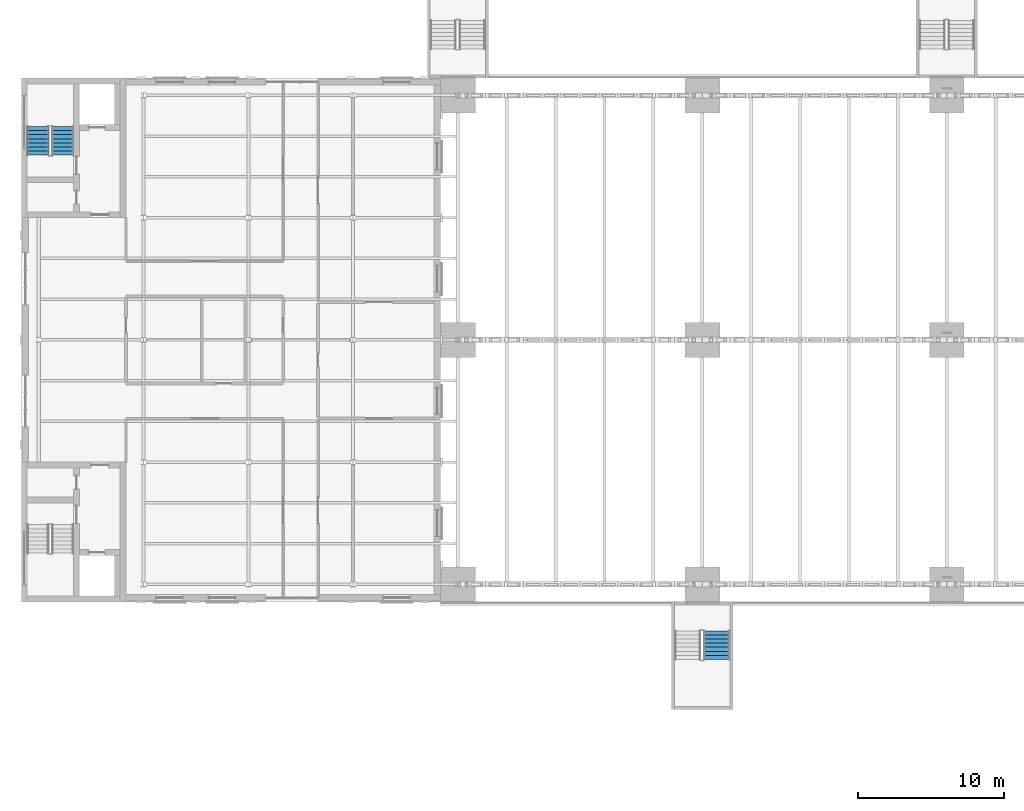
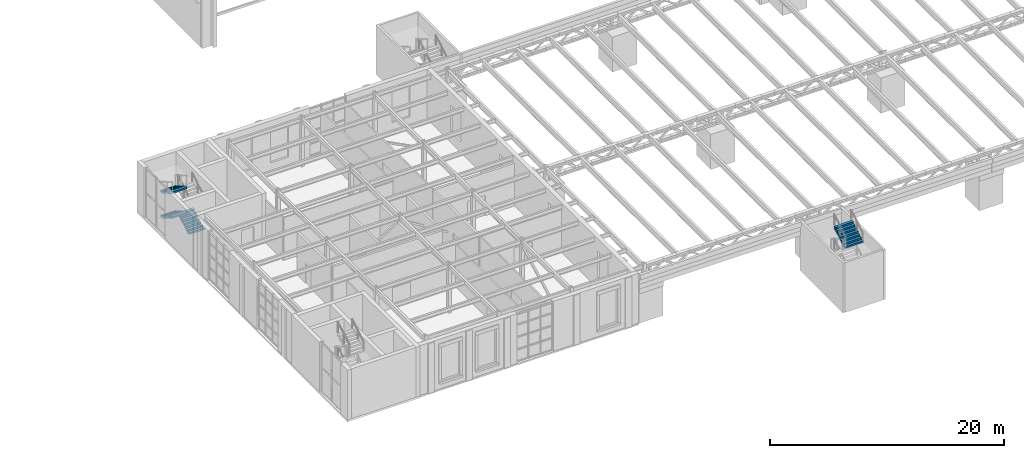
# One storey, part 70 of 93: 4 stair flights, 2 elements without a shape of their own.
"""IFC4 building model written with IfcOpenShell, lengths in metres."""

from ifc_helpers import new_model, si_unit, direction, frame, origin, place, context, subcontext, project, spatial, polygons, material, type_object, element, aggregate, save


model = new_model("IFC4")

# Units and contexts
model_context = context("Model", 3, precision=1e-05, world=origin(), true_north=direction((0.0, 1.0)))
body_context = subcontext(model_context, "Body", "Model", "MODEL_VIEW")
ifc_project = project(units=[si_unit("LENGTHUNIT", "METRE"), si_unit("AREAUNIT", "SQUARE_METRE"), si_unit("VOLUMEUNIT", "CUBIC_METRE"), si_unit("PLANEANGLEUNIT", "RADIAN"), si_unit("MASSUNIT", "GRAM", prefix="KILO")], contexts=[model_context])

# Site, building, storey
site_placement = place(None, origin())
site = spatial("IfcSite", under=ifc_project, at=site_placement, CompositionType="ELEMENT")
building_placement = place(site_placement, origin())
building = spatial("IfcBuilding", under=site, at=building_placement, Name="Verrick Yard Athletic Hall", CompositionType="ELEMENT")
storey_placement = place(building_placement, frame((0.0, 0.0, 8.800048828125)))
storey = spatial("IfcBuildingStorey", under=building, at=storey_placement, Name="L02", CompositionType="ELEMENT", Elevation=8.800048828125)

# Stair, stair flights
ifc_material = material(Name="Concrete 35 MPa", Category="concrete")
stair_type_1 = type_object("IfcStairType", Name="Stair ST2 1500 wide 32 risers", PredefinedType="HALF_TURN_STAIR", material=ifc_material)
stair_1_placement = place(storey_placement, origin())
stair_1 = element("IfcStair", 1, at=stair_1_placement, inside=storey, type_object=stair_type_1, Name="Wing north-west stair L02", PredefinedType="HALF_TURN_STAIR")
stair_flight_type_1 = type_object("IfcStairFlightType", Name="Stair flight SF2 1500 wide 8 risers", PredefinedType="STRAIGHT", material=ifc_material)
stair_flight_1_placement = place(storey_placement, frame((12.85009765625, 48.699951171875, 0.0), z_axis=(0.0, 0.0, 1.0), x_axis=(0.0, 1.0, 0.0)))
stair_flight_1 = element("IfcStairFlight", 2, at=stair_flight_1_placement, type_object=stair_flight_type_1, Name="ST2 flight 1", NumberOfRisers=8, NumberOfTreads=7, PredefinedType="STRAIGHT", RiserHeight=0.1625, TreadLength=0.28, context=body_context, shape_type="Tessellation", body=[
    polygons([(0.2986404620805121, -0.75, 0.0), (1.9600000000000002, -0.75, 0.9641818746854172), (1.9600000000000002, -0.75, 1.1375), (1.6800000000000002, -0.75, 1.1375), (1.6800000000000002, -0.75, 0.9750000000000001), (1.4000000000000001, -0.75, 0.9750000000000001), (1.4000000000000001, -0.75, 0.8125), (1.12, -0.75, 0.8125), (1.12, -0.75, 0.65), (0.8400000000000001, -0.75, 0.65), (0.8400000000000001, -0.75, 0.48750000000000004), (0.56, -0.75, 0.48750000000000004), (0.56, -0.75, 0.325), (0.28, -0.75, 0.325), (0.28, -0.75, 0.1625), (0.0, -0.75, 0.1625), (0.0, -0.75, 0.0), (0.2986404620805121, -0.14990234375, 0.0), (1.9600000000000002, -0.14990234375, 0.9641818746854172), (1.9600000000000002, -0.14990234375, 1.1375), (1.6800000000000002, -0.14990234375, 1.1375), (1.6800000000000002, -0.14990234375, 0.9750000000000001), (1.4000000000000001, -0.14990234375, 0.9750000000000001), (1.4000000000000001, -0.14990234375, 0.8125), (1.12, -0.14990234375, 0.8125), (1.12, -0.14990234375, 0.65), (0.8400000000000001, -0.14990234375, 0.65), (0.8400000000000001, -0.14990234375, 0.48750000000000004), (0.56, -0.14990234375, 0.48750000000000004), (0.56, -0.14990234375, 0.325), (0.28, -0.14990234375, 0.325), (0.28, -0.14990234375, 0.1625), (0.0, -0.14990234375, 0.1625), (0.0, -0.14990234375, 0.0), (0.2986404620805121, -0.050048828125, 0.0), (1.9600000000000002, -0.050048828125, 0.9641818746854172), (1.9600000000000002, -0.050048828125, 1.1375), (1.6800000000000002, -0.050048828125, 1.1375), (1.6800000000000002, -0.050048828125, 0.9750000000000001), (1.4000000000000001, -0.050048828125, 0.9750000000000001), (1.4000000000000001, -0.050048828125, 0.8125), (1.12, -0.050048828125, 0.8125), (1.12, -0.050048828125, 0.65), (0.8400000000000001, -0.050048828125, 0.65), (0.8400000000000001, -0.050048828125, 0.48750000000000004), (0.56, -0.050048828125, 0.48750000000000004), (0.56, -0.050048828125, 0.325), (0.28, -0.050048828125, 0.325), (0.28, -0.050048828125, 0.1625), (0.0, -0.050048828125, 0.1625), (0.0, -0.050048828125, 0.0), (0.2986404620805121, 0.050048828125, 0.0), (1.9600000000000002, 0.050048828125, 0.9641818746854172), (1.9600000000000002, 0.050048828125, 1.1375), (1.6800000000000002, 0.050048828125, 1.1375), (1.6800000000000002, 0.050048828125, 0.9750000000000001), (1.4000000000000001, 0.050048828125, 0.9750000000000001), (1.4000000000000001, 0.050048828125, 0.8125), (1.12, 0.050048828125, 0.8125), (1.12, 0.050048828125, 0.65), (0.8400000000000001, 0.050048828125, 0.65), (0.8400000000000001, 0.050048828125, 0.48750000000000004), (0.56, 0.050048828125, 0.48750000000000004), (0.56, 0.050048828125, 0.325), (0.28, 0.050048828125, 0.325), (0.28, 0.050048828125, 0.1625), (0.0, 0.050048828125, 0.1625), (0.0, 0.050048828125, 0.0), (0.2986404620805121, 0.14990234375, 0.0), (1.9600000000000002, 0.14990234375, 0.9641818746854172), (1.9600000000000002, 0.14990234375, 1.1375), (1.6800000000000002, 0.14990234375, 1.1375), (1.6800000000000002, 0.14990234375, 0.9750000000000001), (1.4000000000000001, 0.14990234375, 0.9750000000000001), (1.4000000000000001, 0.14990234375, 0.8125), (1.12, 0.14990234375, 0.8125), (1.12, 0.14990234375, 0.65), (0.8400000000000001, 0.14990234375, 0.65), (0.8400000000000001, 0.14990234375, 0.48750000000000004), (0.56, 0.14990234375, 0.48750000000000004), (0.56, 0.14990234375, 0.325), (0.28, 0.14990234375, 0.325), (0.28, 0.14990234375, 0.1625), (0.0, 0.14990234375, 0.1625), (0.0, 0.14990234375, 0.0), (0.2986404620805121, 0.75, 0.0), (1.9600000000000002, 0.75, 0.9641818746854172), (1.9600000000000002, 0.75, 1.1375), (1.6800000000000002, 0.75, 1.1375), (1.6800000000000002, 0.75, 0.9750000000000001), (1.4000000000000001, 0.75, 0.9750000000000001), (1.4000000000000001, 0.75, 0.8125), (1.12, 0.75, 0.8125), (1.12, 0.75, 0.65), (0.8400000000000001, 0.75, 0.65), (0.8400000000000001, 0.75, 0.48750000000000004), (0.56, 0.75, 0.48750000000000004), (0.56, 0.75, 0.325), (0.28, 0.75, 0.325), (0.28, 0.75, 0.1625), (0.0, 0.75, 0.1625), (0.0, 0.75, 0.0)], [[[1, 2, 3, 4, 5, 6, 7, 8, 9, 10, 11, 12, 13, 14, 15, 16, 17]], [[102, 101, 100, 99, 98, 97, 96, 95, 94, 93, 92, 91, 90, 89, 88, 87, 86]], [[1, 18, 19, 2]], [[2, 19, 20, 3]], [[3, 20, 21, 4]], [[4, 21, 22, 5]], [[5, 22, 23, 6]], [[6, 23, 24, 7]], [[7, 24, 25, 8]], [[8, 25, 26, 9]], [[9, 26, 27, 10]], [[10, 27, 28, 11]], [[11, 28, 29, 12]], [[12, 29, 30, 13]], [[13, 30, 31, 14]], [[14, 31, 32, 15]], [[15, 32, 33, 16]], [[16, 33, 34, 17]], [[17, 34, 18, 1]], [[18, 35, 36, 19]], [[19, 36, 37, 20]], [[20, 37, 38, 21]], [[21, 38, 39, 22]], [[22, 39, 40, 23]], [[23, 40, 41, 24]], [[24, 41, 42, 25]], [[25, 42, 43, 26]], [[26, 43, 44, 27]], [[27, 44, 45, 28]], [[28, 45, 46, 29]], [[29, 46, 47, 30]], [[30, 47, 48, 31]], [[31, 48, 49, 32]], [[32, 49, 50, 33]], [[33, 50, 51, 34]], [[34, 51, 35, 18]], [[35, 52, 53, 36]], [[36, 53, 54, 37]], [[37, 54, 55, 38]], [[38, 55, 56, 39]], [[39, 56, 57, 40]], [[40, 57, 58, 41]], [[41, 58, 59, 42]], [[42, 59, 60, 43]], [[43, 60, 61, 44]], [[44, 61, 62, 45]], [[45, 62, 63, 46]], [[46, 63, 64, 47]], [[47, 64, 65, 48]], [[48, 65, 66, 49]], [[49, 66, 67, 50]], [[50, 67, 68, 51]], [[51, 68, 52, 35]], [[52, 69, 70, 53]], [[53, 70, 71, 54]], [[54, 71, 72, 55]], [[55, 72, 73, 56]], [[56, 73, 74, 57]], [[57, 74, 75, 58]], [[58, 75, 76, 59]], [[59, 76, 77, 60]], [[60, 77, 78, 61]], [[61, 78, 79, 62]], [[62, 79, 80, 63]], [[63, 80, 81, 64]], [[64, 81, 82, 65]], [[65, 82, 83, 66]], [[66, 83, 84, 67]], [[67, 84, 85, 68]], [[68, 85, 69, 52]], [[69, 86, 87, 70]], [[70, 87, 88, 71]], [[71, 88, 89, 72]], [[72, 89, 90, 73]], [[73, 90, 91, 74]], [[74, 91, 92, 75]], [[75, 92, 93, 76]], [[76, 93, 94, 77]], [[77, 94, 95, 78]], [[78, 95, 96, 79]], [[79, 96, 97, 80]], [[80, 97, 98, 81]], [[81, 98, 99, 82]], [[82, 99, 100, 83]], [[83, 100, 101, 84]], [[84, 101, 102, 85]], [[85, 102, 86, 69]]], closed=True),
])
stair_flight_2_placement = place(storey_placement, frame((11.14990234375, 50.659912109375, 1.300048828125), z_axis=(0.0, 0.0, 1.0), x_axis=(0.0, -1.0, 0.0)))
stair_flight_2 = element("IfcStairFlight", 3, at=stair_flight_2_placement, type_object=stair_flight_type_1, Name="ST2 flight 2", NumberOfRisers=8, NumberOfTreads=7, PredefinedType="STRAIGHT", RiserHeight=0.1625, TreadLength=0.28, context=body_context, shape_type="Tessellation", body=[
    polygons([(0.2986404620805121, -0.75, 0.0), (1.9600000000000002, -0.75, 0.9641818746854172), (1.9600000000000002, -0.75, 1.1375), (1.6800000000000002, -0.75, 1.1375), (1.6800000000000002, -0.75, 0.9750000000000001), (1.4000000000000001, -0.75, 0.9750000000000001), (1.4000000000000001, -0.75, 0.8125), (1.12, -0.75, 0.8125), (1.12, -0.75, 0.65), (0.8400000000000001, -0.75, 0.65), (0.8400000000000001, -0.75, 0.48750000000000004), (0.56, -0.75, 0.48750000000000004), (0.56, -0.75, 0.325), (0.28, -0.75, 0.325), (0.28, -0.75, 0.1625), (0.0, -0.75, 0.1625), (0.0, -0.75, 0.0), (0.2986404620805121, -0.14990234375, 0.0), (1.9600000000000002, -0.14990234375, 0.9641818746854172), (1.9600000000000002, -0.14990234375, 1.1375), (1.6800000000000002, -0.14990234375, 1.1375), (1.6800000000000002, -0.14990234375, 0.9750000000000001), (1.4000000000000001, -0.14990234375, 0.9750000000000001), (1.4000000000000001, -0.14990234375, 0.8125), (1.12, -0.14990234375, 0.8125), (1.12, -0.14990234375, 0.65), (0.8400000000000001, -0.14990234375, 0.65), (0.8400000000000001, -0.14990234375, 0.48750000000000004), (0.56, -0.14990234375, 0.48750000000000004), (0.56, -0.14990234375, 0.325), (0.28, -0.14990234375, 0.325), (0.28, -0.14990234375, 0.1625), (0.0, -0.14990234375, 0.1625), (0.0, -0.14990234375, 0.0), (0.2986404620805121, -0.050048828125, 0.0), (1.9600000000000002, -0.050048828125, 0.9641818746854172), (1.9600000000000002, -0.050048828125, 1.1375), (1.6800000000000002, -0.050048828125, 1.1375), (1.6800000000000002, -0.050048828125, 0.9750000000000001), (1.4000000000000001, -0.050048828125, 0.9750000000000001), (1.4000000000000001, -0.050048828125, 0.8125), (1.12, -0.050048828125, 0.8125), (1.12, -0.050048828125, 0.65), (0.8400000000000001, -0.050048828125, 0.65), (0.8400000000000001, -0.050048828125, 0.48750000000000004), (0.56, -0.050048828125, 0.48750000000000004), (0.56, -0.050048828125, 0.325), (0.28, -0.050048828125, 0.325), (0.28, -0.050048828125, 0.1625), (0.0, -0.050048828125, 0.1625), (0.0, -0.050048828125, 0.0), (0.2986404620805121, 0.050048828125, 0.0), (1.9600000000000002, 0.050048828125, 0.9641818746854172), (1.9600000000000002, 0.050048828125, 1.1375), (1.6800000000000002, 0.050048828125, 1.1375), (1.6800000000000002, 0.050048828125, 0.9750000000000001), (1.4000000000000001, 0.050048828125, 0.9750000000000001), (1.4000000000000001, 0.050048828125, 0.8125), (1.12, 0.050048828125, 0.8125), (1.12, 0.050048828125, 0.65), (0.8400000000000001, 0.050048828125, 0.65), (0.8400000000000001, 0.050048828125, 0.48750000000000004), (0.56, 0.050048828125, 0.48750000000000004), (0.56, 0.050048828125, 0.325), (0.28, 0.050048828125, 0.325), (0.28, 0.050048828125, 0.1625), (0.0, 0.050048828125, 0.1625), (0.0, 0.050048828125, 0.0), (0.2986404620805121, 0.14990234375, 0.0), (1.9600000000000002, 0.14990234375, 0.9641818746854172), (1.9600000000000002, 0.14990234375, 1.1375), (1.6800000000000002, 0.14990234375, 1.1375), (1.6800000000000002, 0.14990234375, 0.9750000000000001), (1.4000000000000001, 0.14990234375, 0.9750000000000001), (1.4000000000000001, 0.14990234375, 0.8125), (1.12, 0.14990234375, 0.8125), (1.12, 0.14990234375, 0.65), (0.8400000000000001, 0.14990234375, 0.65), (0.8400000000000001, 0.14990234375, 0.48750000000000004), (0.56, 0.14990234375, 0.48750000000000004), (0.56, 0.14990234375, 0.325), (0.28, 0.14990234375, 0.325), (0.28, 0.14990234375, 0.1625), (0.0, 0.14990234375, 0.1625), (0.0, 0.14990234375, 0.0), (0.2986404620805121, 0.75, 0.0), (1.9600000000000002, 0.75, 0.9641818746854172), (1.9600000000000002, 0.75, 1.1375), (1.6800000000000002, 0.75, 1.1375), (1.6800000000000002, 0.75, 0.9750000000000001), (1.4000000000000001, 0.75, 0.9750000000000001), (1.4000000000000001, 0.75, 0.8125), (1.12, 0.75, 0.8125), (1.12, 0.75, 0.65), (0.8400000000000001, 0.75, 0.65), (0.8400000000000001, 0.75, 0.48750000000000004), (0.56, 0.75, 0.48750000000000004), (0.56, 0.75, 0.325), (0.28, 0.75, 0.325), (0.28, 0.75, 0.1625), (0.0, 0.75, 0.1625), (0.0, 0.75, 0.0)], [[[1, 2, 3, 4, 5, 6, 7, 8, 9, 10, 11, 12, 13, 14, 15, 16, 17]], [[102, 101, 100, 99, 98, 97, 96, 95, 94, 93, 92, 91, 90, 89, 88, 87, 86]], [[1, 18, 19, 2]], [[2, 19, 20, 3]], [[3, 20, 21, 4]], [[4, 21, 22, 5]], [[5, 22, 23, 6]], [[6, 23, 24, 7]], [[7, 24, 25, 8]], [[8, 25, 26, 9]], [[9, 26, 27, 10]], [[10, 27, 28, 11]], [[11, 28, 29, 12]], [[12, 29, 30, 13]], [[13, 30, 31, 14]], [[14, 31, 32, 15]], [[15, 32, 33, 16]], [[16, 33, 34, 17]], [[17, 34, 18, 1]], [[18, 35, 36, 19]], [[19, 36, 37, 20]], [[20, 37, 38, 21]], [[21, 38, 39, 22]], [[22, 39, 40, 23]], [[23, 40, 41, 24]], [[24, 41, 42, 25]], [[25, 42, 43, 26]], [[26, 43, 44, 27]], [[27, 44, 45, 28]], [[28, 45, 46, 29]], [[29, 46, 47, 30]], [[30, 47, 48, 31]], [[31, 48, 49, 32]], [[32, 49, 50, 33]], [[33, 50, 51, 34]], [[34, 51, 35, 18]], [[35, 52, 53, 36]], [[36, 53, 54, 37]], [[37, 54, 55, 38]], [[38, 55, 56, 39]], [[39, 56, 57, 40]], [[40, 57, 58, 41]], [[41, 58, 59, 42]], [[42, 59, 60, 43]], [[43, 60, 61, 44]], [[44, 61, 62, 45]], [[45, 62, 63, 46]], [[46, 63, 64, 47]], [[47, 64, 65, 48]], [[48, 65, 66, 49]], [[49, 66, 67, 50]], [[50, 67, 68, 51]], [[51, 68, 52, 35]], [[52, 69, 70, 53]], [[53, 70, 71, 54]], [[54, 71, 72, 55]], [[55, 72, 73, 56]], [[56, 73, 74, 57]], [[57, 74, 75, 58]], [[58, 75, 76, 59]], [[59, 76, 77, 60]], [[60, 77, 78, 61]], [[61, 78, 79, 62]], [[62, 79, 80, 63]], [[63, 80, 81, 64]], [[64, 81, 82, 65]], [[65, 82, 83, 66]], [[66, 83, 84, 67]], [[67, 84, 85, 68]], [[68, 85, 69, 52]], [[69, 86, 87, 70]], [[70, 87, 88, 71]], [[71, 88, 89, 72]], [[72, 89, 90, 73]], [[73, 90, 91, 74]], [[74, 91, 92, 75]], [[75, 92, 93, 76]], [[76, 93, 94, 77]], [[77, 94, 95, 78]], [[78, 95, 96, 79]], [[79, 96, 97, 80]], [[80, 97, 98, 81]], [[81, 98, 99, 82]], [[82, 99, 100, 83]], [[83, 100, 101, 84]], [[84, 101, 102, 85]], [[85, 102, 86, 69]]], closed=True),
])
stair_flight_3_placement = place(storey_placement, frame((11.14990234375, 50.659912109375, 3.89990234375), z_axis=(0.0, 0.0, 1.0), x_axis=(0.0, -1.0, 0.0)))
stair_flight_3 = element("IfcStairFlight", 4, at=stair_flight_3_placement, type_object=stair_flight_type_1, Name="ST2 flight 4", NumberOfRisers=8, NumberOfTreads=7, PredefinedType="STRAIGHT", RiserHeight=0.1625, TreadLength=0.28, context=body_context, shape_type="Tessellation", body=[
    polygons([(0.2986404620805121, -0.75, 0.0), (1.9600000000000002, -0.75, 0.9641818746854172), (1.9600000000000002, -0.75, 1.1375), (1.6800000000000002, -0.75, 1.1375), (1.6800000000000002, -0.75, 0.9750000000000001), (1.4000000000000001, -0.75, 0.9750000000000001), (1.4000000000000001, -0.75, 0.8125), (1.12, -0.75, 0.8125), (1.12, -0.75, 0.65), (0.8400000000000001, -0.75, 0.65), (0.8400000000000001, -0.75, 0.48750000000000004), (0.56, -0.75, 0.48750000000000004), (0.56, -0.75, 0.325), (0.28, -0.75, 0.325), (0.28, -0.75, 0.1625), (0.0, -0.75, 0.1625), (0.0, -0.75, 0.0), (0.2986404620805121, -0.14990234375, 0.0), (1.9600000000000002, -0.14990234375, 0.9641818746854172), (1.9600000000000002, -0.14990234375, 1.1375), (1.6800000000000002, -0.14990234375, 1.1375), (1.6800000000000002, -0.14990234375, 0.9750000000000001), (1.4000000000000001, -0.14990234375, 0.9750000000000001), (1.4000000000000001, -0.14990234375, 0.8125), (1.12, -0.14990234375, 0.8125), (1.12, -0.14990234375, 0.65), (0.8400000000000001, -0.14990234375, 0.65), (0.8400000000000001, -0.14990234375, 0.48750000000000004), (0.56, -0.14990234375, 0.48750000000000004), (0.56, -0.14990234375, 0.325), (0.28, -0.14990234375, 0.325), (0.28, -0.14990234375, 0.1625), (0.0, -0.14990234375, 0.1625), (0.0, -0.14990234375, 0.0), (0.2986404620805121, -0.050048828125, 0.0), (1.9600000000000002, -0.050048828125, 0.9641818746854172), (1.9600000000000002, -0.050048828125, 1.1375), (1.6800000000000002, -0.050048828125, 1.1375), (1.6800000000000002, -0.050048828125, 0.9750000000000001), (1.4000000000000001, -0.050048828125, 0.9750000000000001), (1.4000000000000001, -0.050048828125, 0.8125), (1.12, -0.050048828125, 0.8125), (1.12, -0.050048828125, 0.65), (0.8400000000000001, -0.050048828125, 0.65), (0.8400000000000001, -0.050048828125, 0.48750000000000004), (0.56, -0.050048828125, 0.48750000000000004), (0.56, -0.050048828125, 0.325), (0.28, -0.050048828125, 0.325), (0.28, -0.050048828125, 0.1625), (0.0, -0.050048828125, 0.1625), (0.0, -0.050048828125, 0.0), (0.2986404620805121, 0.050048828125, 0.0), (1.9600000000000002, 0.050048828125, 0.9641818746854172), (1.9600000000000002, 0.050048828125, 1.1375), (1.6800000000000002, 0.050048828125, 1.1375), (1.6800000000000002, 0.050048828125, 0.9750000000000001), (1.4000000000000001, 0.050048828125, 0.9750000000000001), (1.4000000000000001, 0.050048828125, 0.8125), (1.12, 0.050048828125, 0.8125), (1.12, 0.050048828125, 0.65), (0.8400000000000001, 0.050048828125, 0.65), (0.8400000000000001, 0.050048828125, 0.48750000000000004), (0.56, 0.050048828125, 0.48750000000000004), (0.56, 0.050048828125, 0.325), (0.28, 0.050048828125, 0.325), (0.28, 0.050048828125, 0.1625), (0.0, 0.050048828125, 0.1625), (0.0, 0.050048828125, 0.0), (0.2986404620805121, 0.14990234375, 0.0), (1.9600000000000002, 0.14990234375, 0.9641818746854172), (1.9600000000000002, 0.14990234375, 1.1375), (1.6800000000000002, 0.14990234375, 1.1375), (1.6800000000000002, 0.14990234375, 0.9750000000000001), (1.4000000000000001, 0.14990234375, 0.9750000000000001), (1.4000000000000001, 0.14990234375, 0.8125), (1.12, 0.14990234375, 0.8125), (1.12, 0.14990234375, 0.65), (0.8400000000000001, 0.14990234375, 0.65), (0.8400000000000001, 0.14990234375, 0.48750000000000004), (0.56, 0.14990234375, 0.48750000000000004), (0.56, 0.14990234375, 0.325), (0.28, 0.14990234375, 0.325), (0.28, 0.14990234375, 0.1625), (0.0, 0.14990234375, 0.1625), (0.0, 0.14990234375, 0.0), (0.2986404620805121, 0.75, 0.0), (1.9600000000000002, 0.75, 0.9641818746854172), (1.9600000000000002, 0.75, 1.1375), (1.6800000000000002, 0.75, 1.1375), (1.6800000000000002, 0.75, 0.9750000000000001), (1.4000000000000001, 0.75, 0.9750000000000001), (1.4000000000000001, 0.75, 0.8125), (1.12, 0.75, 0.8125), (1.12, 0.75, 0.65), (0.8400000000000001, 0.75, 0.65), (0.8400000000000001, 0.75, 0.48750000000000004), (0.56, 0.75, 0.48750000000000004), (0.56, 0.75, 0.325), (0.28, 0.75, 0.325), (0.28, 0.75, 0.1625), (0.0, 0.75, 0.1625), (0.0, 0.75, 0.0)], [[[1, 2, 3, 4, 5, 6, 7, 8, 9, 10, 11, 12, 13, 14, 15, 16, 17]], [[102, 101, 100, 99, 98, 97, 96, 95, 94, 93, 92, 91, 90, 89, 88, 87, 86]], [[1, 18, 19, 2]], [[2, 19, 20, 3]], [[3, 20, 21, 4]], [[4, 21, 22, 5]], [[5, 22, 23, 6]], [[6, 23, 24, 7]], [[7, 24, 25, 8]], [[8, 25, 26, 9]], [[9, 26, 27, 10]], [[10, 27, 28, 11]], [[11, 28, 29, 12]], [[12, 29, 30, 13]], [[13, 30, 31, 14]], [[14, 31, 32, 15]], [[15, 32, 33, 16]], [[16, 33, 34, 17]], [[17, 34, 18, 1]], [[18, 35, 36, 19]], [[19, 36, 37, 20]], [[20, 37, 38, 21]], [[21, 38, 39, 22]], [[22, 39, 40, 23]], [[23, 40, 41, 24]], [[24, 41, 42, 25]], [[25, 42, 43, 26]], [[26, 43, 44, 27]], [[27, 44, 45, 28]], [[28, 45, 46, 29]], [[29, 46, 47, 30]], [[30, 47, 48, 31]], [[31, 48, 49, 32]], [[32, 49, 50, 33]], [[33, 50, 51, 34]], [[34, 51, 35, 18]], [[35, 52, 53, 36]], [[36, 53, 54, 37]], [[37, 54, 55, 38]], [[38, 55, 56, 39]], [[39, 56, 57, 40]], [[40, 57, 58, 41]], [[41, 58, 59, 42]], [[42, 59, 60, 43]], [[43, 60, 61, 44]], [[44, 61, 62, 45]], [[45, 62, 63, 46]], [[46, 63, 64, 47]], [[47, 64, 65, 48]], [[48, 65, 66, 49]], [[49, 66, 67, 50]], [[50, 67, 68, 51]], [[51, 68, 52, 35]], [[52, 69, 70, 53]], [[53, 70, 71, 54]], [[54, 71, 72, 55]], [[55, 72, 73, 56]], [[56, 73, 74, 57]], [[57, 74, 75, 58]], [[58, 75, 76, 59]], [[59, 76, 77, 60]], [[60, 77, 78, 61]], [[61, 78, 79, 62]], [[62, 79, 80, 63]], [[63, 80, 81, 64]], [[64, 81, 82, 65]], [[65, 82, 83, 66]], [[66, 83, 84, 67]], [[67, 84, 85, 68]], [[68, 85, 69, 52]], [[69, 86, 87, 70]], [[70, 87, 88, 71]], [[71, 88, 89, 72]], [[72, 89, 90, 73]], [[73, 90, 91, 74]], [[74, 91, 92, 75]], [[75, 92, 93, 76]], [[76, 93, 94, 77]], [[77, 94, 95, 78]], [[78, 95, 96, 79]], [[79, 96, 97, 80]], [[80, 97, 98, 81]], [[81, 98, 99, 82]], [[82, 99, 100, 83]], [[83, 100, 101, 84]], [[84, 101, 102, 85]], [[85, 102, 86, 69]]], closed=True),
])
aggregate(stair_1, [stair_flight_1, stair_flight_2, stair_flight_3])

# Stair, stair flight
stair_type_2 = type_object("IfcStairType", Name="Stair ST4 1800 wide 32 risers", PredefinedType="HALF_TURN_STAIR", material=ifc_material)
stair_2_placement = place(storey_placement, origin())
stair_2 = element("IfcStair", 5, at=stair_2_placement, inside=storey, type_object=stair_type_2, Name="South deck escape 1 stair L02", PredefinedType="HALF_TURN_STAIR")
stair_flight_type_2 = type_object("IfcStairFlightType", Name="Stair flight SF4 1800 wide 8 risers", PredefinedType="STRAIGHT", material=ifc_material)
stair_flight_4_placement = place(storey_placement, frame((57.800048828125, 14.0400390625, 3.89990234375), z_axis=(0.0, 0.0, 1.0), x_axis=(0.0, 1.0, 0.0)))
stair_flight_4 = element("IfcStairFlight", 6, at=stair_flight_4_placement, type_object=stair_flight_type_2, Name="ST4 flight 4", NumberOfRisers=8, NumberOfTreads=7, PredefinedType="STRAIGHT", RiserHeight=0.1625, TreadLength=0.28, context=body_context, shape_type="Tessellation", body=[
    polygons([(0.2986404620805121, -0.89990234375, 0.0), (1.9600000000000002, -0.89990234375, 0.9641818746854172), (1.9600000000000002, -0.89990234375, 1.1375), (1.6800000000000002, -0.89990234375, 1.1375), (1.6800000000000002, -0.89990234375, 0.9750000000000001), (1.4000000000000001, -0.89990234375, 0.9750000000000001), (1.4000000000000001, -0.89990234375, 0.8125), (1.12, -0.89990234375, 0.8125), (1.12, -0.89990234375, 0.65), (0.8400000000000001, -0.89990234375, 0.65), (0.8400000000000001, -0.89990234375, 0.48750000000000004), (0.56, -0.89990234375, 0.48750000000000004), (0.56, -0.89990234375, 0.325), (0.28, -0.89990234375, 0.325), (0.28, -0.89990234375, 0.1625), (0.0, -0.89990234375, 0.1625), (0.0, -0.89990234375, 0.0), (0.2986404620805121, -0.179931640625, 0.0), (1.9600000000000002, -0.179931640625, 0.9641818746854172), (1.9600000000000002, -0.179931640625, 1.1375), (1.6800000000000002, -0.179931640625, 1.1375), (1.6800000000000002, -0.179931640625, 0.9750000000000001), (1.4000000000000001, -0.179931640625, 0.9750000000000001), (1.4000000000000001, -0.179931640625, 0.8125), (1.12, -0.179931640625, 0.8125), (1.12, -0.179931640625, 0.65), (0.8400000000000001, -0.179931640625, 0.65), (0.8400000000000001, -0.179931640625, 0.48750000000000004), (0.56, -0.179931640625, 0.48750000000000004), (0.56, -0.179931640625, 0.325), (0.28, -0.179931640625, 0.325), (0.28, -0.179931640625, 0.1625), (0.0, -0.179931640625, 0.1625), (0.0, -0.179931640625, 0.0), (0.2986404620805121, -0.1201171875, 0.0), (1.9600000000000002, -0.1201171875, 0.9641818746854172), (1.9600000000000002, -0.1201171875, 1.1375), (1.6800000000000002, -0.1201171875, 1.1375), (1.6800000000000002, -0.1201171875, 0.9750000000000001), (1.4000000000000001, -0.1201171875, 0.9750000000000001), (1.4000000000000001, -0.1201171875, 0.8125), (1.12, -0.1201171875, 0.8125), (1.12, -0.1201171875, 0.65), (0.8400000000000001, -0.1201171875, 0.65), (0.8400000000000001, -0.1201171875, 0.48750000000000004), (0.56, -0.1201171875, 0.48750000000000004), (0.56, -0.1201171875, 0.325), (0.28, -0.1201171875, 0.325), (0.28, -0.1201171875, 0.1625), (0.0, -0.1201171875, 0.1625), (0.0, -0.1201171875, 0.0), (0.2986404620805121, -0.06005859375, 0.0), (1.9600000000000002, -0.06005859375, 0.9641818746854172), (1.9600000000000002, -0.06005859375, 1.1375), (1.6800000000000002, -0.06005859375, 1.1375), (1.6800000000000002, -0.06005859375, 0.9750000000000001), (1.4000000000000001, -0.06005859375, 0.9750000000000001), (1.4000000000000001, -0.06005859375, 0.8125), (1.12, -0.06005859375, 0.8125), (1.12, -0.06005859375, 0.65), (0.8400000000000001, -0.06005859375, 0.65), (0.8400000000000001, -0.06005859375, 0.48750000000000004), (0.56, -0.06005859375, 0.48750000000000004), (0.56, -0.06005859375, 0.325), (0.28, -0.06005859375, 0.325), (0.28, -0.06005859375, 0.1625), (0.0, -0.06005859375, 0.1625), (0.0, -0.06005859375, 0.0), (0.2986404620805121, 0.0, 0.0), (1.9600000000000002, 0.0, 0.9641818746854172), (1.9600000000000002, 0.0, 1.1375), (1.6800000000000002, 0.0, 1.1375), (1.6800000000000002, 0.0, 0.9750000000000001), (1.4000000000000001, 0.0, 0.9750000000000001), (1.4000000000000001, 0.0, 0.8125), (1.12, 0.0, 0.8125), (1.12, 0.0, 0.65), (0.8400000000000001, 0.0, 0.65), (0.8400000000000001, 0.0, 0.48750000000000004), (0.56, 0.0, 0.48750000000000004), (0.56, 0.0, 0.325), (0.28, 0.0, 0.325), (0.28, 0.0, 0.1625), (0.0, 0.0, 0.1625), (0.0, 0.0, 0.0), (0.2986404620805121, 0.06005859375, 0.0), (1.9600000000000002, 0.06005859375, 0.9641818746854172), (1.9600000000000002, 0.06005859375, 1.1375), (1.6800000000000002, 0.06005859375, 1.1375), (1.6800000000000002, 0.06005859375, 0.9750000000000001), (1.4000000000000001, 0.06005859375, 0.9750000000000001), (1.4000000000000001, 0.06005859375, 0.8125), (1.12, 0.06005859375, 0.8125), (1.12, 0.06005859375, 0.65), (0.8400000000000001, 0.06005859375, 0.65), (0.8400000000000001, 0.06005859375, 0.48750000000000004), (0.56, 0.06005859375, 0.48750000000000004), (0.56, 0.06005859375, 0.325), (0.28, 0.06005859375, 0.325), (0.28, 0.06005859375, 0.1625), (0.0, 0.06005859375, 0.1625), (0.0, 0.06005859375, 0.0), (0.2986404620805121, 0.1201171875, 0.0), (1.9600000000000002, 0.1201171875, 0.9641818746854172), (1.9600000000000002, 0.1201171875, 1.1375), (1.6800000000000002, 0.1201171875, 1.1375), (1.6800000000000002, 0.1201171875, 0.9750000000000001), (1.4000000000000001, 0.1201171875, 0.9750000000000001), (1.4000000000000001, 0.1201171875, 0.8125), (1.12, 0.1201171875, 0.8125), (1.12, 0.1201171875, 0.65), (0.8400000000000001, 0.1201171875, 0.65), (0.8400000000000001, 0.1201171875, 0.48750000000000004), (0.56, 0.1201171875, 0.48750000000000004), (0.56, 0.1201171875, 0.325), (0.28, 0.1201171875, 0.325), (0.28, 0.1201171875, 0.1625), (0.0, 0.1201171875, 0.1625), (0.0, 0.1201171875, 0.0), (0.2986404620805121, 0.179931640625, 0.0), (1.9600000000000002, 0.179931640625, 0.9641818746854172), (1.9600000000000002, 0.179931640625, 1.1375), (1.6800000000000002, 0.179931640625, 1.1375), (1.6800000000000002, 0.179931640625, 0.9750000000000001), (1.4000000000000001, 0.179931640625, 0.9750000000000001), (1.4000000000000001, 0.179931640625, 0.8125), (1.12, 0.179931640625, 0.8125), (1.12, 0.179931640625, 0.65), (0.8400000000000001, 0.179931640625, 0.65), (0.8400000000000001, 0.179931640625, 0.48750000000000004), (0.56, 0.179931640625, 0.48750000000000004), (0.56, 0.179931640625, 0.325), (0.28, 0.179931640625, 0.325), (0.28, 0.179931640625, 0.1625), (0.0, 0.179931640625, 0.1625), (0.0, 0.179931640625, 0.0), (0.2986404620805121, 0.89990234375, 0.0), (1.9600000000000002, 0.89990234375, 0.9641818746854172), (1.9600000000000002, 0.89990234375, 1.1375), (1.6800000000000002, 0.89990234375, 1.1375), (1.6800000000000002, 0.89990234375, 0.9750000000000001), (1.4000000000000001, 0.89990234375, 0.9750000000000001), (1.4000000000000001, 0.89990234375, 0.8125), (1.12, 0.89990234375, 0.8125), (1.12, 0.89990234375, 0.65), (0.8400000000000001, 0.89990234375, 0.65), (0.8400000000000001, 0.89990234375, 0.48750000000000004), (0.56, 0.89990234375, 0.48750000000000004), (0.56, 0.89990234375, 0.325), (0.28, 0.89990234375, 0.325), (0.28, 0.89990234375, 0.1625), (0.0, 0.89990234375, 0.1625), (0.0, 0.89990234375, 0.0)], [[[1, 2, 3, 4, 5, 6, 7, 8, 9, 10, 11, 12, 13, 14, 15, 16, 17]], [[153, 152, 151, 150, 149, 148, 147, 146, 145, 144, 143, 142, 141, 140, 139, 138, 137]], [[1, 18, 19, 2]], [[2, 19, 20, 3]], [[3, 20, 21, 4]], [[4, 21, 22, 5]], [[5, 22, 23, 6]], [[6, 23, 24, 7]], [[7, 24, 25, 8]], [[8, 25, 26, 9]], [[9, 26, 27, 10]], [[10, 27, 28, 11]], [[11, 28, 29, 12]], [[12, 29, 30, 13]], [[13, 30, 31, 14]], [[14, 31, 32, 15]], [[15, 32, 33, 16]], [[16, 33, 34, 17]], [[17, 34, 18, 1]], [[18, 35, 36, 19]], [[19, 36, 37, 20]], [[20, 37, 38, 21]], [[21, 38, 39, 22]], [[22, 39, 40, 23]], [[23, 40, 41, 24]], [[24, 41, 42, 25]], [[25, 42, 43, 26]], [[26, 43, 44, 27]], [[27, 44, 45, 28]], [[28, 45, 46, 29]], [[29, 46, 47, 30]], [[30, 47, 48, 31]], [[31, 48, 49, 32]], [[32, 49, 50, 33]], [[33, 50, 51, 34]], [[34, 51, 35, 18]], [[35, 52, 53, 36]], [[36, 53, 54, 37]], [[37, 54, 55, 38]], [[38, 55, 56, 39]], [[39, 56, 57, 40]], [[40, 57, 58, 41]], [[41, 58, 59, 42]], [[42, 59, 60, 43]], [[43, 60, 61, 44]], [[44, 61, 62, 45]], [[45, 62, 63, 46]], [[46, 63, 64, 47]], [[47, 64, 65, 48]], [[48, 65, 66, 49]], [[49, 66, 67, 50]], [[50, 67, 68, 51]], [[51, 68, 52, 35]], [[52, 69, 70, 53]], [[53, 70, 71, 54]], [[54, 71, 72, 55]], [[55, 72, 73, 56]], [[56, 73, 74, 57]], [[57, 74, 75, 58]], [[58, 75, 76, 59]], [[59, 76, 77, 60]], [[60, 77, 78, 61]], [[61, 78, 79, 62]], [[62, 79, 80, 63]], [[63, 80, 81, 64]], [[64, 81, 82, 65]], [[65, 82, 83, 66]], [[66, 83, 84, 67]], [[67, 84, 85, 68]], [[68, 85, 69, 52]], [[69, 86, 87, 70]], [[70, 87, 88, 71]], [[71, 88, 89, 72]], [[72, 89, 90, 73]], [[73, 90, 91, 74]], [[74, 91, 92, 75]], [[75, 92, 93, 76]], [[76, 93, 94, 77]], [[77, 94, 95, 78]], [[78, 95, 96, 79]], [[79, 96, 97, 80]], [[80, 97, 98, 81]], [[81, 98, 99, 82]], [[82, 99, 100, 83]], [[83, 100, 101, 84]], [[84, 101, 102, 85]], [[85, 102, 86, 69]], [[86, 103, 104, 87]], [[87, 104, 105, 88]], [[88, 105, 106, 89]], [[89, 106, 107, 90]], [[90, 107, 108, 91]], [[91, 108, 109, 92]], [[92, 109, 110, 93]], [[93, 110, 111, 94]], [[94, 111, 112, 95]], [[95, 112, 113, 96]], [[96, 113, 114, 97]], [[97, 114, 115, 98]], [[98, 115, 116, 99]], [[99, 116, 117, 100]], [[100, 117, 118, 101]], [[101, 118, 119, 102]], [[102, 119, 103, 86]], [[103, 120, 121, 104]], [[104, 121, 122, 105]], [[105, 122, 123, 106]], [[106, 123, 124, 107]], [[107, 124, 125, 108]], [[108, 125, 126, 109]], [[109, 126, 127, 110]], [[110, 127, 128, 111]], [[111, 128, 129, 112]], [[112, 129, 130, 113]], [[113, 130, 131, 114]], [[114, 131, 132, 115]], [[115, 132, 133, 116]], [[116, 133, 134, 117]], [[117, 134, 135, 118]], [[118, 135, 136, 119]], [[119, 136, 120, 103]], [[120, 137, 138, 121]], [[121, 138, 139, 122]], [[122, 139, 140, 123]], [[123, 140, 141, 124]], [[124, 141, 142, 125]], [[125, 142, 143, 126]], [[126, 143, 144, 127]], [[127, 144, 145, 128]], [[128, 145, 146, 129]], [[129, 146, 147, 130]], [[130, 147, 148, 131]], [[131, 148, 149, 132]], [[132, 149, 150, 133]], [[133, 150, 151, 134]], [[134, 151, 152, 135]], [[135, 152, 153, 136]], [[136, 153, 137, 120]]], closed=True),
])
aggregate(stair_2, [stair_flight_4])

save(model, "model.ifc")
